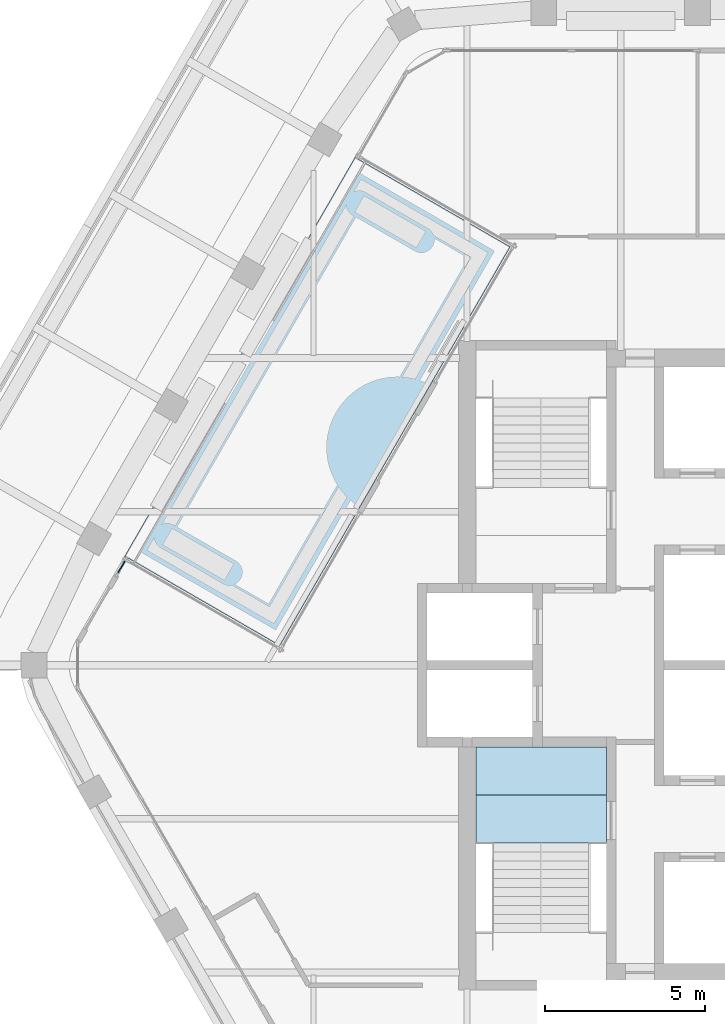
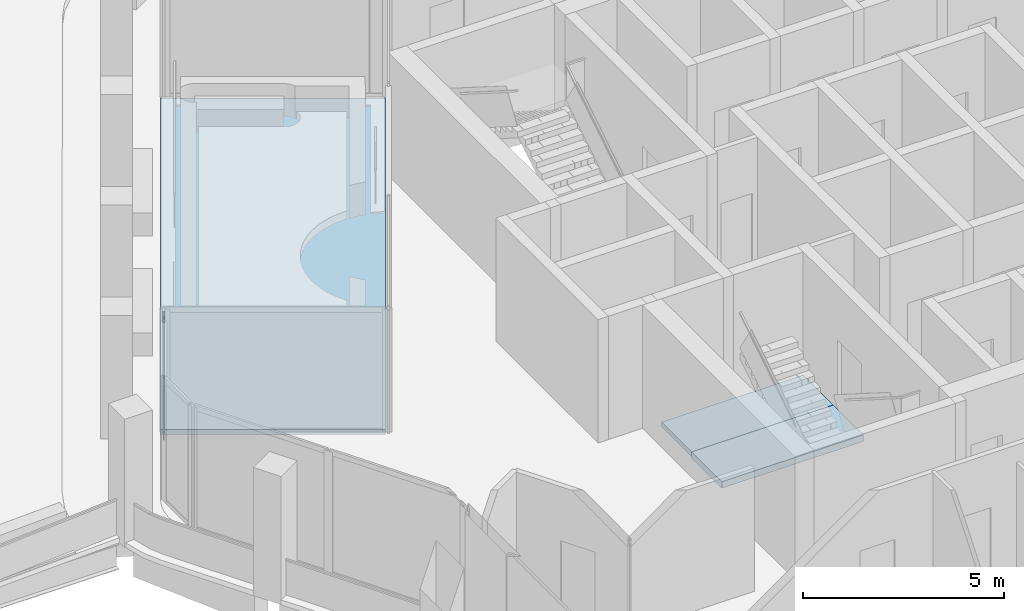
# One storey, part 8 of 16: 3 slabs, 1 plate, 2 elements without a shape of their own.
"""IFC4 building model written with IfcOpenShell, lengths in metres."""

from ifc_helpers import new_model, si_unit, direction, frame, origin, origin_2d, place, context, subcontext, project, spatial, polyline, rectangle, outline, extrude, material, layer, layer_set, type_object, element, aggregate, save


model = new_model("IFC4")

# Units and contexts
model_context = context("Model", 3, precision=1e-05, world=origin(), true_north=direction((0.0, 1.0)))
body_context = subcontext(model_context, "Body", "Model", "MODEL_VIEW")
ifc_project = project(units=[si_unit("LENGTHUNIT", "METRE"), si_unit("AREAUNIT", "SQUARE_METRE"), si_unit("VOLUMEUNIT", "CUBIC_METRE"), si_unit("PLANEANGLEUNIT", "RADIAN"), si_unit("MASSUNIT", "GRAM", prefix="KILO")], contexts=[model_context])

# Site, building, storey
site_placement = place(None, origin())
site = spatial("IfcSite", under=ifc_project, at=site_placement, CompositionType="ELEMENT")
building_placement = place(site_placement, origin())
building = spatial("IfcBuilding", under=site, at=building_placement, Name="Kolab Exchange Tower", CompositionType="ELEMENT")
storey_placement = place(building_placement, frame((0.0, 0.0, 254.0)))
storey = spatial("IfcBuildingStorey", under=building, at=storey_placement, Name="L56", CompositionType="ELEMENT", Elevation=254.0)

# Slab
ifc_material_1 = material(Name="Concrete C35/45", Category="concrete")
ifc_layer_1 = layer(ifc_material_1, 0.14990234375)
ifc_layer_set_1 = layer_set([ifc_layer_1], Name="Concrete C35/45")
slab_type_1 = type_object("IfcSlabType", Name="FLOOR SLAB 150", PredefinedType="FLOOR", material=ifc_layer_set_1)
slab_1_placement = place(storey_placement, frame((0.0, 0.0, -0.14990234375)))
element("IfcSlab", 1, at=slab_1_placement, inside=storey, type_object=slab_type_1, Name="slab/L56/floor/3", PredefinedType="FLOOR", context=body_context, shape_type="SweptSolid", body=[
    extrude(outline(polyline([(-7.550048828125, -2.550048828125), (-9.324951171875, -2.550048828125), (-9.324951171875, -4.050048828125), (-5.25, -4.050048828125), (-5.25, -2.550048828125), (-7.25, -2.550048828125), (-7.550048828125, -2.550048828125)])), origin(), (0.0, 0.0, 1.0), 0.14990234375),
])

# Stair, slab
ifc_material_2 = material(Name="Concrete C50/60", Category="concrete")
stair_type = type_object("IfcStairType", Name="STAIR ST3 RISER 177.3", PredefinedType="HALF_TURN_STAIR", material=ifc_material_2)
stair_placement = place(storey_placement, origin())
stair = element("IfcStair", 2, at=stair_placement, inside=storey, type_object=stair_type, Name="Stair 3", PredefinedType="HALF_TURN_STAIR")
ifc_layer_2 = layer(ifc_material_2, 0.199951171875)
ifc_layer_set_2 = layer_set([ifc_layer_2], Name="Concrete C50/60")
slab_type_2 = type_object("IfcSlabType", Name="STAIR LANDING 200", PredefinedType="LANDING", material=ifc_layer_set_2)
slab_2_placement = place(storey_placement, frame((0.0, 0.0, -0.199951171875)))
slab_2 = element("IfcSlab", 3, at=slab_2_placement, type_object=slab_type_2, Name="ST3 landing 1", PredefinedType="LANDING", context=body_context, shape_type="SweptSolid", body=[
    extrude(outline(polyline([(-9.324951171875, -5.550048828125), (-5.25, -5.550048828125), (-5.25, -4.050048828125), (-9.324951171875, -4.050048828125), (-9.324951171875, -5.550048828125)])), origin(), (0.0, 0.0, 1.0), 0.199951171875),
])
aggregate(stair, [slab_2])

# Slab
ifc_layer_3 = layer(ifc_material_1, 0.14990234375)
ifc_layer_set_3 = layer_set([ifc_layer_3], Name="Concrete C35/45")
slab_type_3 = type_object("IfcSlabType", Name="TERRACE SLAB 150 PLANTED", PredefinedType="ROOF", material=ifc_layer_set_3)
slab_3_placement = place(storey_placement, frame((0.0, 0.0, -0.14990234375)))
element("IfcSlab", 4, at=slab_3_placement, inside=storey, type_object=slab_type_3, Name="Roof terrace", PredefinedType="ROOF", context=body_context, shape_type="SweptSolid", body=[
    extrude(outline(polyline([(-20.301025390625, 3.406982421875), (-15.451171875, 0.60693359375), (-8.251220703125, 13.07763671875), (-13.10107421875, 15.877685546875), (-20.301025390625, 3.406982421875)])), origin(), (0.0, 0.0, 1.0), 0.14990234375),
])

# Curtain wall, plate
ifc_material_3 = material(Name="Aluminium EN AW-6063 T6", Category="aluminium")
curtain_wall_type = type_object("IfcCurtainWallType", Name="UNITISED HIGH ZONE CURTAIN WALL", PredefinedType="NOTDEFINED", material=ifc_material_3)
curtain_wall_placement = place(storey_placement, origin())
curtain_wall = element("IfcCurtainWall", 5, at=curtain_wall_placement, inside=storey, type_object=curtain_wall_type, Name="cw/L56/F6-l-1", PredefinedType="NOTDEFINED")
ifc_material_4 = material(Name="Clear insulated glazing unit", Category="glass")
ifc_layer_4 = layer(ifc_material_4, 0.030029296875)
ifc_layer_set_4 = layer_set([ifc_layer_4], Name="Clear insulated glazing unit")
plate_type = type_object("IfcPlateType", Name="UNITISED HIGH ZONE GLASS PANEL 30", PredefinedType="CURTAIN_PANEL", material=ifc_layer_set_4)
plate_placement = place(storey_placement, frame((-20.403564453125, 3.069091796875, 0.06005859375), z_axis=(0.0, 0.0, 1.0), x_axis=(0.49999949138, 0.866025697436, 0.0)))
plate = element("IfcPlate", 6, at=plate_placement, type_object=plate_type, Name="CW4 panel 1.1", PredefinedType="CURTAIN_PANEL", context=body_context, shape_type="SweptSolid", body=[
    extrude(rectangle(XDim=0.407958984375, YDim=0.030029296875, at=origin_2d()), origin(), (0.0, 0.0, 1.0), 3.6298828125),
])
aggregate(curtain_wall, [plate])

save(model, "model.ifc")
